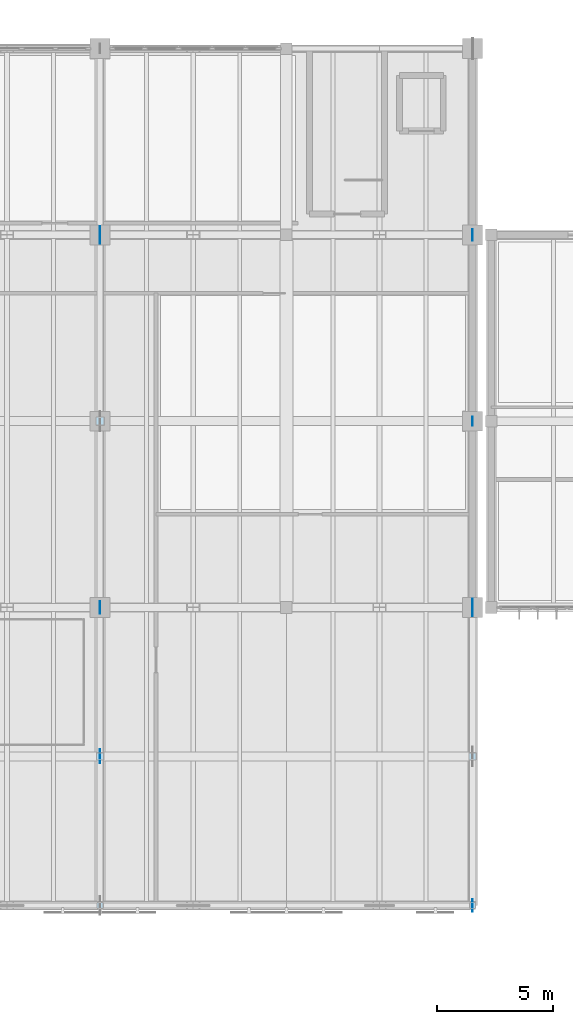
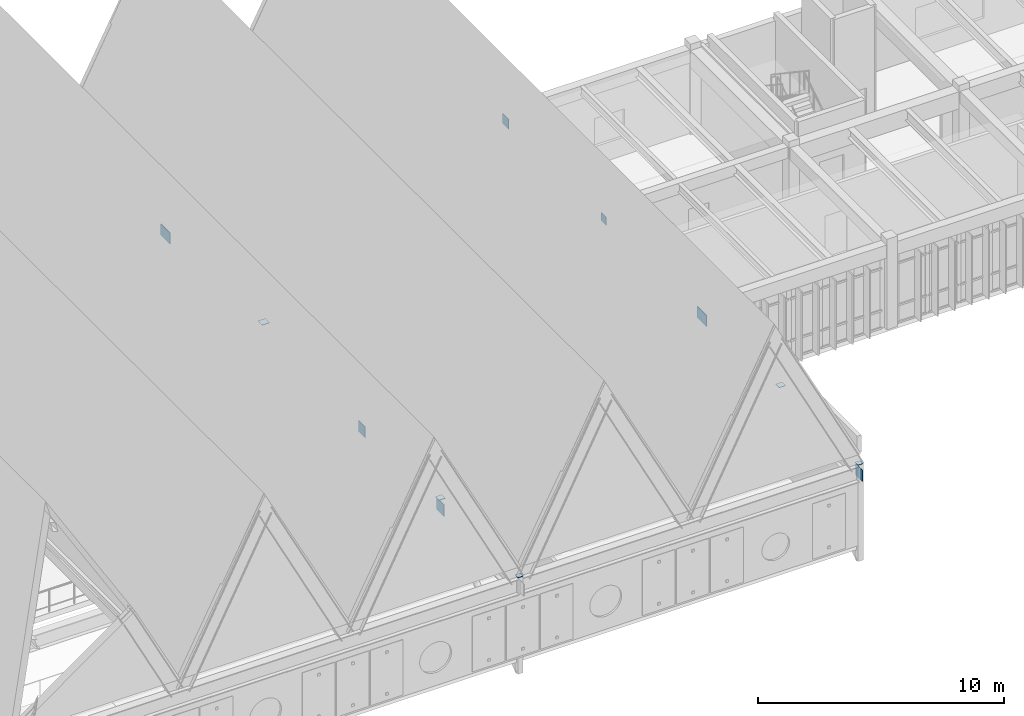
# One storey, part 44 of 72: 12 plates.
"""IFC4 building model written with IfcOpenShell, lengths in metres."""

from ifc_helpers import new_model, si_unit, direction, frame, origin, origin_2d, place, context, subcontext, project, spatial, rectangle, extrude, material, layer, layer_set, type_object, element, save


model = new_model("IFC4")

# Units and contexts
model_context = context("Model", 3, precision=1e-05, world=origin(), true_north=direction((0.0, 1.0)))
body_context = subcontext(model_context, "Body", "Model", "MODEL_VIEW")
ifc_project = project(units=[si_unit("LENGTHUNIT", "METRE"), si_unit("AREAUNIT", "SQUARE_METRE"), si_unit("VOLUMEUNIT", "CUBIC_METRE"), si_unit("PLANEANGLEUNIT", "RADIAN"), si_unit("MASSUNIT", "GRAM", prefix="KILO")], contexts=[model_context])

# Site, building, storey
site_placement = place(None, origin())
site = spatial("IfcSite", under=ifc_project, at=site_placement, CompositionType="ELEMENT")
building_placement = place(site_placement, origin())
building = spatial("IfcBuilding", under=site, at=building_placement, Name="Tlaxcora Railside Police Headquarters", CompositionType="ELEMENT")
storey_placement = place(building_placement, frame((0.0, 0.0, 13.5)))
storey = spatial("IfcBuildingStorey", under=building, at=storey_placement, Name="L03", CompositionType="ELEMENT", Elevation=13.5)

# Plates
ifc_material = material(Name="Steel ASTM A992 Grade 50", Category="steel")
ifc_layer_1 = layer(ifc_material, 0.02392578125, Name="Steel ASTM A992 Grade 50")
ifc_layer_set_1 = layer_set([ifc_layer_1], Name="Steel ASTM A992 Grade 50")
plate_type_1 = type_object("IfcPlateType", Name="Structural Gusset or Cap Plate GP-20", PredefinedType="USERDEFINED", material=ifc_layer_set_1)
for number, where, z_axis, x_axis, name in (
    (1, (86.0, 36.0, 3.2451171875), (0.0, 0.0, 1.0), (0.0, 1.0, 0.0), "Truss top-chord gusset plate KNT-3-3"),
    (2, (102.0, 23.199951171875, 3.2451171875), (0.0, 0.0, 1.0), (0.0, 1.0, 0.0), "Truss top-chord gusset plate KNT-4-5"),
):
    element("IfcPlate", number, at=place(storey_placement, frame(where, z_axis=z_axis, x_axis=x_axis)), inside=storey, type_object=plate_type_1, Name=name, ObjectType="GUSSET PLATE", PredefinedType="USERDEFINED", context=body_context, shape_type="SweptSolid", body=[
        extrude(rectangle(XDim=0.550048828125, YDim=0.02392578125, at=origin_2d()), origin(), (0.0, 0.0, 1.0), 0.550048828125),
    ])
ifc_layer_2 = layer(ifc_material, 0.02490234375, Name="Steel ASTM A992 Grade 50")
ifc_layer_set_2 = layer_set([ifc_layer_2], Name="Steel ASTM A992 Grade 50")
plate_type_2 = type_object("IfcPlateType", Name="Structural Gusset or Cap Plate GP-22", PredefinedType="USERDEFINED", material=ifc_layer_set_2)
plate_1_placement = place(storey_placement, frame((86.0, 44.0, 3.97998046875), z_axis=(0.0, 0.0, 1.0), x_axis=(1.0, 0.0, 0.0)))
element("IfcPlate", 3, at=plate_1_placement, inside=storey, type_object=plate_type_2, Name="Truss TR-3 post top seal cap 2", ObjectType="GUSSET PLATE", PredefinedType="USERDEFINED", context=body_context, shape_type="SweptSolid", body=[
    extrude(rectangle(XDim=0.35009765625, YDim=0.35009765625, at=origin_2d()), origin(), (0.0, 0.0, 1.0), 0.02001953125),
])
plate_2_placement = place(storey_placement, frame((86.0, 29.60009765625, 3.97998046875), z_axis=(0.0, 0.0, 1.0), x_axis=(1.0, 0.0, 0.0)))
element("IfcPlate", 4, at=plate_2_placement, inside=storey, type_object=plate_type_2, Name="Truss TR-3 post top seal cap 4", ObjectType="GUSSET PLATE", PredefinedType="USERDEFINED", context=body_context, shape_type="SweptSolid", body=[
    extrude(rectangle(XDim=0.300048828125, YDim=0.300048828125, at=origin_2d()), origin(), (0.0, 0.0, 1.0), 0.02001953125),
])
plate_3_placement = place(storey_placement, frame((86.0, 29.60009765625, 3.219970703125), z_axis=(0.0, 0.0, 1.0), x_axis=(0.0, 1.0, 0.0)))
element("IfcPlate", 5, at=plate_3_placement, inside=storey, type_object=plate_type_2, Name="Truss top-chord gusset plate KNT-3-4", ObjectType="GUSSET PLATE", PredefinedType="USERDEFINED", context=body_context, shape_type="SweptSolid", body=[
    extrude(rectangle(XDim=0.60009765625, YDim=0.02490234375, at=origin_2d()), origin(), (0.0, 0.0, 1.0), 0.60009765625),
])
plate_4_placement = place(storey_placement, frame((86.0, 23.199951171875, 3.97998046875), z_axis=(0.0, 0.0, 1.0), x_axis=(1.0, 0.0, 0.0)))
element("IfcPlate", 6, at=plate_4_placement, inside=storey, type_object=plate_type_2, Name="Truss TR-3 post top seal cap 5", ObjectType="GUSSET PLATE", PredefinedType="USERDEFINED", context=body_context, shape_type="SweptSolid", body=[
    extrude(rectangle(XDim=0.25, YDim=0.25, at=origin_2d()), origin(), (0.0, 0.0, 1.0), 0.02001953125),
])
plate_5_placement = place(storey_placement, frame((102.0, 29.60009765625, 3.97998046875), z_axis=(0.0, 0.0, 1.0), x_axis=(1.0, 0.0, 0.0)))
element("IfcPlate", 7, at=plate_5_placement, inside=storey, type_object=plate_type_2, Name="Truss TR-4 post top seal cap 4", ObjectType="GUSSET PLATE", PredefinedType="USERDEFINED", context=body_context, shape_type="SweptSolid", body=[
    extrude(rectangle(XDim=0.300048828125, YDim=0.300048828125, at=origin_2d()), origin(), (0.0, 0.0, 1.0), 0.02001953125),
])
plate_6_placement = place(storey_placement, frame((102.0, 23.199951171875, 3.97998046875), z_axis=(0.0, 0.0, 1.0), x_axis=(1.0, 0.0, 0.0)))
element("IfcPlate", 8, at=plate_6_placement, inside=storey, type_object=plate_type_2, Name="Truss TR-4 post top seal cap 5", ObjectType="GUSSET PLATE", PredefinedType="USERDEFINED", context=body_context, shape_type="SweptSolid", body=[
    extrude(rectangle(XDim=0.25, YDim=0.25, at=origin_2d()), origin(), (0.0, 0.0, 1.0), 0.02001953125),
])
ifc_layer_3 = layer(ifc_material, 0.02197265625, Name="Steel ASTM A992 Grade 50")
ifc_layer_set_3 = layer_set([ifc_layer_3], Name="Steel ASTM A992 Grade 50")
plate_type_3 = type_object("IfcPlateType", Name="Structural Gusset or Cap Plate GP-24", PredefinedType="USERDEFINED", material=ifc_layer_set_3)
plate_7_placement = place(storey_placement, frame((102.0, 52.0, 3.27001953125), z_axis=(0.0, 0.0, 1.0), x_axis=(0.0, 1.0, 0.0)))
element("IfcPlate", 9, at=plate_7_placement, inside=storey, type_object=plate_type_3, Name="Truss top-chord gusset plate KNT-4-1", ObjectType="GUSSET PLATE", PredefinedType="USERDEFINED", context=body_context, shape_type="SweptSolid", body=[
    extrude(rectangle(XDim=0.5, YDim=0.02197265625, at=origin_2d()), origin(), (0.0, 0.0, 1.0), 0.5),
])
ifc_layer_4 = layer(ifc_material, 0.02001953125, Name="Steel ASTM A992 Grade 50")
ifc_layer_set_4 = layer_set([ifc_layer_4], Name="Steel ASTM A992 Grade 50")
plate_type_4 = type_object("IfcPlateType", Name="Structural Gusset or Cap Plate GP-37", PredefinedType="USERDEFINED", material=ifc_layer_set_4)
plate_8_placement = place(storey_placement, frame((102.0, 44.0, 3.320068359375), z_axis=(0.0, 0.0, 1.0), x_axis=(0.0, 1.0, 0.0)))
element("IfcPlate", 10, at=plate_8_placement, inside=storey, type_object=plate_type_4, Name="Truss top-chord gusset plate KNT-4-2", ObjectType="GUSSET PLATE", PredefinedType="USERDEFINED", context=body_context, shape_type="SweptSolid", body=[
    extrude(rectangle(XDim=0.39990234375, YDim=0.02001953125, at=origin_2d()), origin(), (0.0, 0.0, 1.0), 0.39990234375),
])
ifc_layer_5 = layer(ifc_material, 0.028076171875, Name="Steel ASTM A992 Grade 50")
ifc_layer_set_5 = layer_set([ifc_layer_5], Name="Steel ASTM A992 Grade 50")
plate_type_5 = type_object("IfcPlateType", Name="Structural Gusset or Cap Plate GP-68", PredefinedType="USERDEFINED", material=ifc_layer_set_5)
for number, where, z_axis, x_axis, name in (
    (11, (86.0, 52.0, 3.2451171875), (0.0, 0.0, 1.0), (0.0, 1.0, 0.0), "Truss top-chord gusset plate KNT-3-1"),
    (12, (102.0, 36.0, 3.2451171875), (0.0, 0.0, 1.0), (0.0, 1.0, 0.0), "Truss top-chord gusset plate KNT-4-3"),
):
    element("IfcPlate", number, at=place(storey_placement, frame(where, z_axis=z_axis, x_axis=x_axis)), inside=storey, type_object=plate_type_5, Name=name, ObjectType="GUSSET PLATE", PredefinedType="USERDEFINED", context=body_context, shape_type="SweptSolid", body=[
        extrude(rectangle(XDim=0.75, YDim=0.028076171875, at=origin_2d()), origin(), (0.0, 0.0, 1.0), 0.550048828125),
    ])

save(model, "model.ifc")
